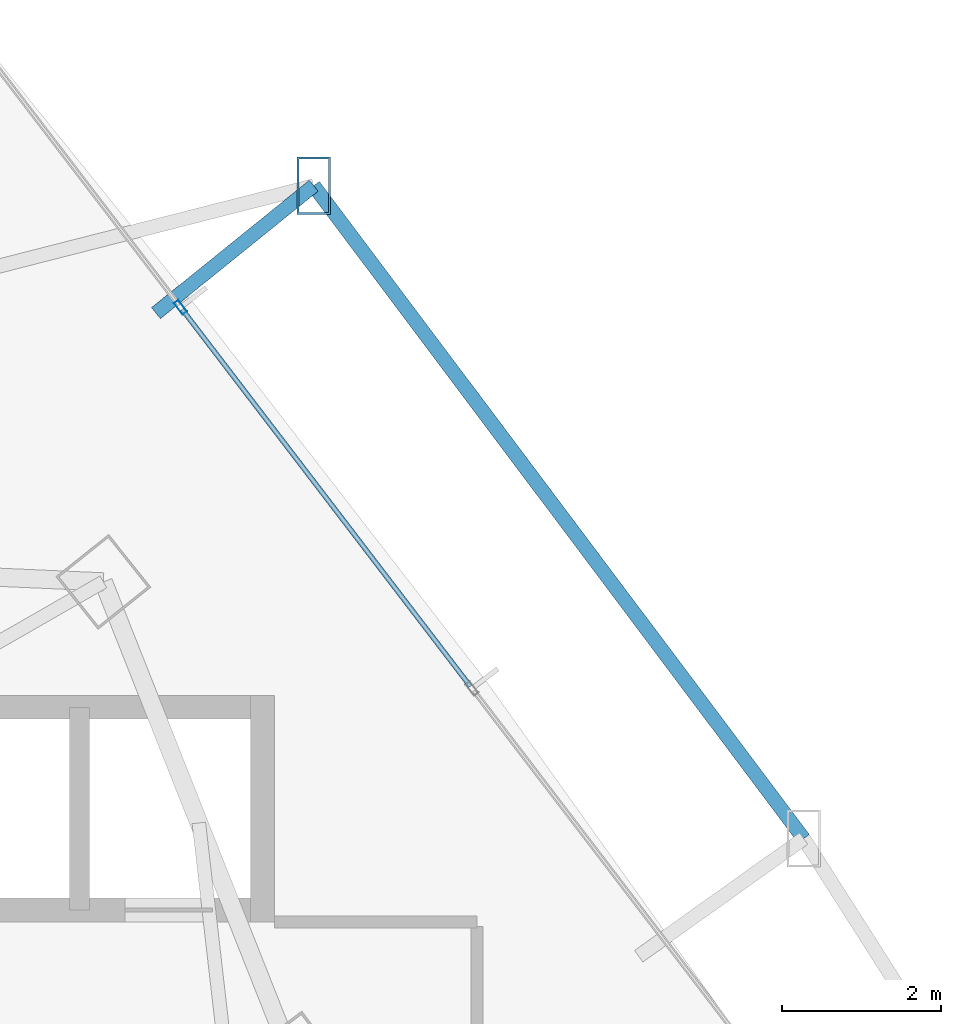
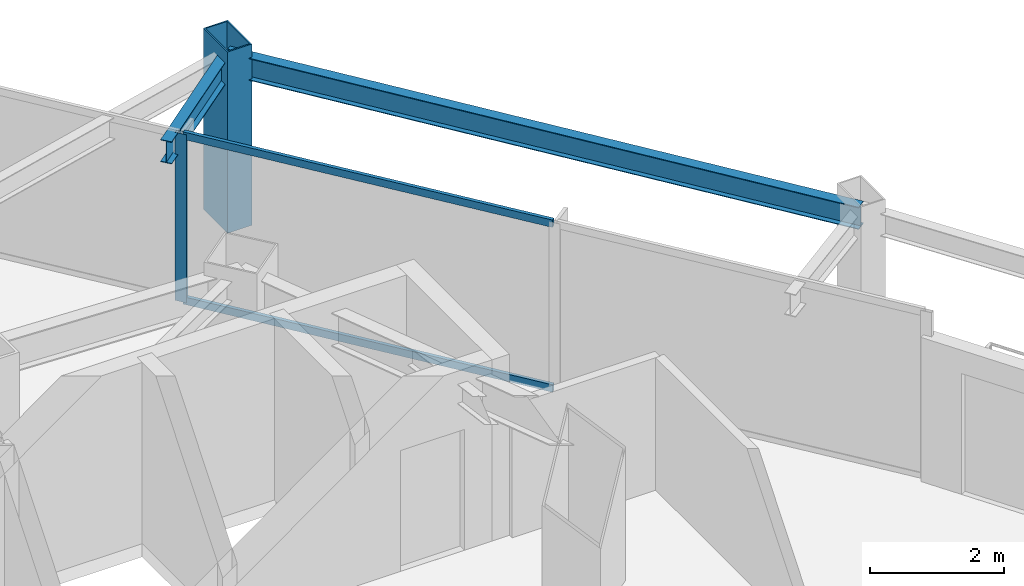
# One storey, part 26 of 33: 4 members, 2 beams, 1 element without a shape of its own.
"""IFC4 building model written with IfcOpenShell, lengths in metres."""

from ifc_helpers import new_model, si_unit, direction, frame, origin, origin_2d, place, context, subcontext, project, spatial, hollow_rectangle, i_section, extrude, material, layer, layer_set, material_profile, profile_set, type_object, element, aggregate, save


model = new_model("IFC4")

# Units and contexts
model_context = context("Model", 3, precision=1e-05, world=origin(), true_north=direction((0.0, 1.0)))
body_context = subcontext(model_context, "Body", "Model", "MODEL_VIEW")
ifc_project = project(units=[si_unit("LENGTHUNIT", "METRE"), si_unit("AREAUNIT", "SQUARE_METRE"), si_unit("VOLUMEUNIT", "CUBIC_METRE"), si_unit("PLANEANGLEUNIT", "RADIAN"), si_unit("MASSUNIT", "GRAM", prefix="KILO")], contexts=[model_context])

# Site, building, storey
site_placement = place(None, origin())
site = spatial("IfcSite", under=ifc_project, at=site_placement, CompositionType="ELEMENT")
building_placement = place(site_placement, origin())
building = spatial("IfcBuilding", under=site, at=building_placement, Name="Orvanel Arch Residences", CompositionType="ELEMENT")
storey_placement = place(building_placement, frame((0.0, 0.0, 90.64990234375)))
storey = spatial("IfcBuildingStorey", under=building, at=storey_placement, Name="L25", CompositionType="ELEMENT", Elevation=90.64990234375)

# Member
ifc_material_1 = material(Name="Structural steel AS/NZS 3678 Grade 350", Category="steel")
ifc_material_profile_1 = material_profile(ifc_material_1, hollow_rectangle(XDim=0.419921875, YDim=0.719970703125, WallThickness=0.02490234375, at=origin_2d()), Name="RHS720x420x25")
ifc_profile_set_1 = profile_set([ifc_material_profile_1], Name="Structural steel AS/NZS 3678 Grade 350")
member_type_1 = type_object("IfcMemberType", Name="CH-720RHS-EXT", PredefinedType="CHORD", material=ifc_profile_set_1)
member_1_placement = place(storey_placement, frame((40.595947265625, 46.162109375, 0.0), z_axis=(0.0, 0.0, 1.0), x_axis=(1.0, 0.0, 0.0)))
element("IfcMember", 1, at=member_1_placement, inside=storey, type_object=member_type_1, Name="L25 Outer Perimeter Frame Post 12", PredefinedType="CHORD", context=body_context, shape_type="SweptSolid", body=[
    extrude(hollow_rectangle(XDim=0.419921875, YDim=0.719970703125, WallThickness=0.02490234375, at=origin_2d()), origin(), (0.0, 0.0, 1.0), 3.300048828125),
])

# Curtain wall, member
ifc_material_2 = material(Name="Bronze-anodised aluminium AA6063-T6", Category="aluminium")
ifc_layer = layer(ifc_material_2, 0.179931640625)
ifc_layer_set = layer_set([ifc_layer], Name="Bronze-anodised aluminium AA6063-T6")
curtain_wall_type = type_object("IfcCurtainWallType", Name="CW2-LOW-SYS", PredefinedType="NOTDEFINED", material=ifc_layer_set)
curtain_wall_placement = place(storey_placement, origin())
curtain_wall = element("IfcCurtainWall", 2, at=curtain_wall_placement, inside=storey, type_object=curtain_wall_type, Name="L25 CW2-LOW-SYS Unitised Curtain Wall", PredefinedType="NOTDEFINED")
ifc_material_profile_2 = material_profile(ifc_material_2, hollow_rectangle(XDim=0.070068359375, YDim=0.179931640625, WallThickness=0.00439453125, at=origin_2d()), Name="ALU180x70x4.5")
ifc_profile_set_2 = profile_set([ifc_material_profile_2], Name="Bronze-anodised aluminium AA6063-T6")
member_type_2 = type_object("IfcMemberType", Name="MUL-180x70", PredefinedType="MULLION", material=ifc_profile_set_2)
member_2_placement = place(storey_placement, frame((38.9208984375, 44.63330078125, 0.0), z_axis=(0.0, 0.0, 1.0), x_axis=(-0.794440878404, -0.607341494318, 0.0)))
member_2 = element("IfcMember", 3, at=member_2_placement, type_object=member_type_2, Name="CW-S2 mullion 3", PredefinedType="MULLION", context=body_context, shape_type="SweptSolid", body=[
    extrude(hollow_rectangle(XDim=0.070068359375, YDim=0.179931640625, WallThickness=0.00439453125, at=origin_2d()), origin(), (0.0, 0.0, 1.0), 3.06005859375),
])

# Beams
ifc_material_3 = material(Name="Structural steel AS/NZS 3679.1 Grade 300 (300 MPa)", Category="steel")
ifc_material_profile_3 = material_profile(ifc_material_3, i_section(OverallWidth=0.177978515625, OverallDepth=0.406005859375, WebThickness=0.0078125, FlangeThickness=0.0126953125, at=origin_2d()), Name="410UB59.7")
ifc_profile_set_3 = profile_set([ifc_material_profile_3], Name="Structural steel AS/NZS 3679.1 Grade 300 (300 MPa)")
beam_type = type_object("IfcBeamType", Name="OB-410UB-EXT", PredefinedType="SPANDREL", material=ifc_profile_set_3)
beam_1_placement = place(storey_placement, frame((46.760986328125, 37.947998046875, 2.857177734375), z_axis=(-0.600277614844, 0.799791713584, 0.0), x_axis=(-0.799791713584, -0.600277614844, 0.0)))
element("IfcBeam", 4, at=beam_1_placement, inside=storey, type_object=beam_type, Name="L25 Outer Perimeter Floor Ring Beam 11", PredefinedType="SPANDREL", context=body_context, shape_type="SweptSolid", body=[
    extrude(i_section(OverallWidth=0.177978515625, OverallDepth=0.406005859375, WebThickness=0.0078125, FlangeThickness=0.0126953125, at=origin_2d()), origin(), (0.0, 0.0, 1.0), 10.270263671875),
])
beam_2_placement = place(storey_placement, frame((38.612060546875, 44.56005859375, 2.857177734375), z_axis=(0.778002376193, 0.628261333076, 0.0), x_axis=(-0.628261333076, 0.778002376193, 0.0)))
element("IfcBeam", 5, at=beam_2_placement, inside=storey, type_object=beam_type, Name="L25 Outer Frame Radial Tie Beam 12", PredefinedType="SPANDREL", context=body_context, shape_type="SweptSolid", body=[
    extrude(i_section(OverallWidth=0.177978515625, OverallDepth=0.406005859375, WebThickness=0.0078125, FlangeThickness=0.0126953125, at=origin_2d()), origin(), (0.0, 0.0, 1.0), 2.550048828125),
])

# Member
ifc_material_profile_4 = material_profile(ifc_material_2, hollow_rectangle(XDim=0.06005859375, YDim=0.135009765625, WallThickness=0.00390625, at=origin_2d()), Name="ALU135x60x4")
ifc_profile_set_4 = profile_set([ifc_material_profile_4], Name="Bronze-anodised aluminium AA6063-T6")
member_type_3 = type_object("IfcMemberType", Name="TRN-135x60", PredefinedType="USERDEFINED", material=ifc_profile_set_4)
member_3_placement = place(storey_placement, frame((42.566650390625, 39.864501953125, 0.030029296875), z_axis=(-0.607351400557, 0.794433305093, 0.0), x_axis=(-0.794433305093, -0.607351400557, 0.0)))
member_3 = element("IfcMember", 6, at=member_3_placement, type_object=member_type_3, Name="CW-S2 transom 2.1", ObjectType="TRANSOM", PredefinedType="USERDEFINED", context=body_context, shape_type="SweptSolid", body=[
    extrude(hollow_rectangle(XDim=0.06005859375, YDim=0.135009765625, WallThickness=0.00390625, at=origin_2d()), origin(), (0.0, 0.0, 1.0), 5.9677734375),
])

member_4_placement = place(storey_placement, frame((42.566650390625, 39.864501953125, 3.030029296875), z_axis=(-0.607351400557, 0.794433305093, 0.0), x_axis=(-0.794433305093, -0.607351400557, 0.0)))
member_4 = element("IfcMember", 7, at=member_4_placement, type_object=member_type_3, Name="CW-S2 transom 2.2", ObjectType="TRANSOM", PredefinedType="USERDEFINED", context=body_context, shape_type="SweptSolid", body=[
    extrude(hollow_rectangle(XDim=0.06005859375, YDim=0.135009765625, WallThickness=0.00390625, at=origin_2d()), origin(), (0.0, 0.0, 1.0), 5.9677734375),
])

aggregate(curtain_wall, [member_2, member_3, member_4])

save(model, "model.ifc")
